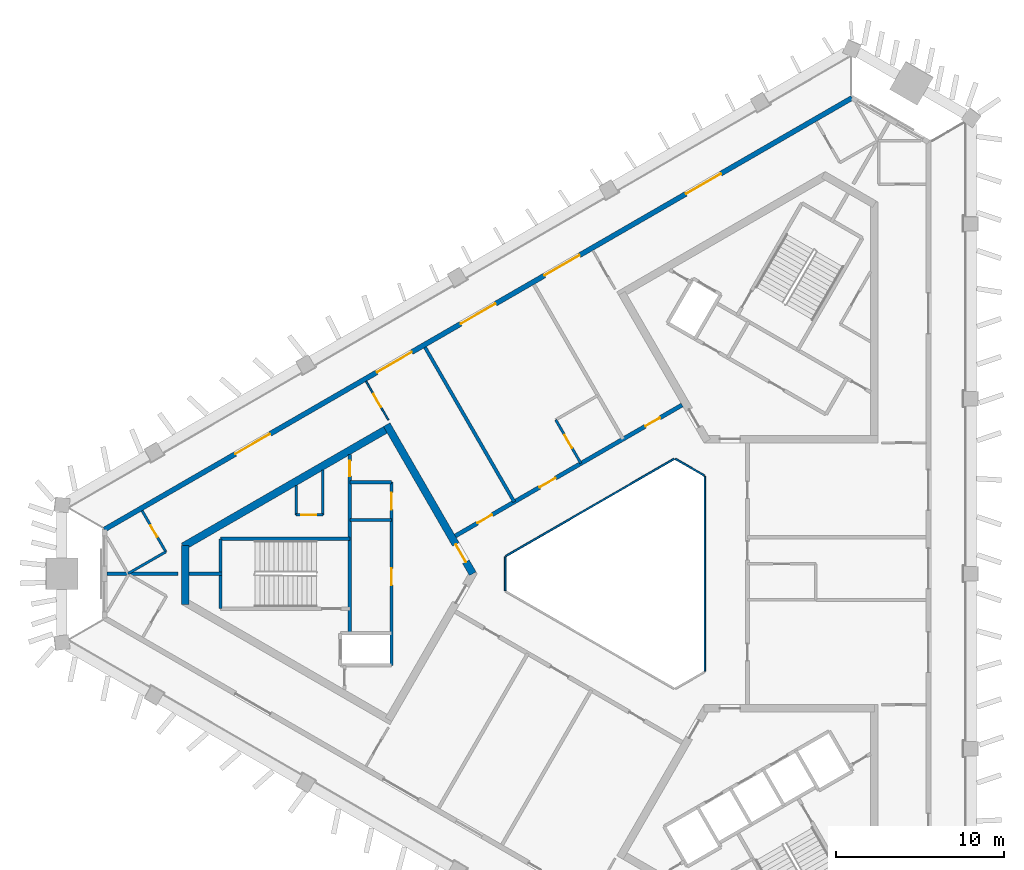
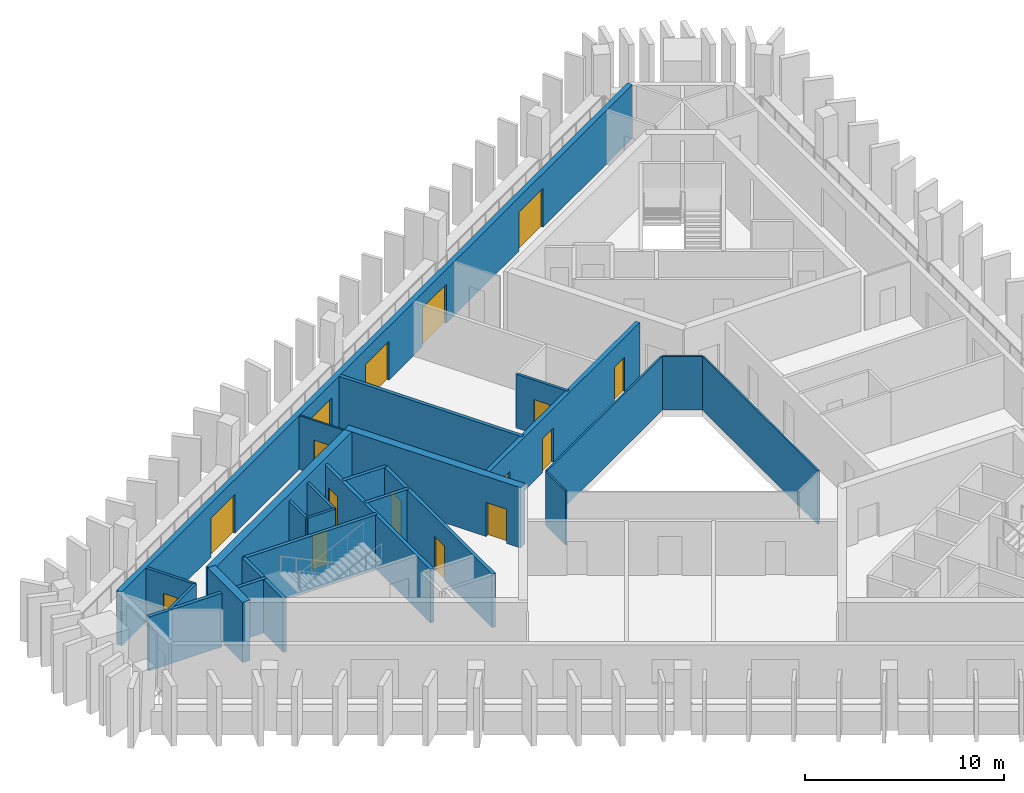
# One storey, part 4 of 9: 25 walls, 16 doors, 16 openings.
"""IFC4 building model written with IfcOpenShell, lengths in metres."""

from ifc_helpers import new_model, si_unit, direction, frame, frame_2d, origin, place, context, subcontext, project, spatial, rectangle, extrude, material, layer, layer_set, type_object, element, fill, save


model = new_model("IFC4")

# Units and contexts
model_context = context("Model", 3, precision=1e-05, world=origin(), true_north=direction((0.0, 1.0)))
body_context = subcontext(model_context, "Body", "Model", "MODEL_VIEW")
ifc_project = project(units=[si_unit("LENGTHUNIT", "METRE"), si_unit("AREAUNIT", "SQUARE_METRE"), si_unit("VOLUMEUNIT", "CUBIC_METRE"), si_unit("PLANEANGLEUNIT", "RADIAN"), si_unit("MASSUNIT", "GRAM", prefix="KILO")], contexts=[model_context])

# Site, building, storey
site_placement = place(None, origin())
site = spatial("IfcSite", under=ifc_project, at=site_placement, CompositionType="ELEMENT")
building_placement = place(site_placement, origin())
building = spatial("IfcBuilding", under=site, at=building_placement, Name="Jabali Bay Hotel Tower and Convention Centre", CompositionType="ELEMENT")
storey_placement = place(building_placement, frame((0.0, 0.0, 209.5)))
storey = spatial("IfcBuildingStorey", under=building, at=storey_placement, Name="L51", CompositionType="ELEMENT", Elevation=209.5)

# Walls
ifc_material_1 = material(Name="Fire-resistant glazing", Category="glass")
ifc_layer_1 = layer(ifc_material_1, 0.10009765625)
ifc_layer_set_1 = layer_set([ifc_layer_1], Name="Fire-resistant glazing")
wall_type_1 = type_object("IfcWallType", Name="Atrium glazed screen 100", PredefinedType="PARTITIONING", material=ifc_layer_set_1)
wall_1_placement = place(storey_placement, frame((79.56005859375, 74.205810546875, 0.0), z_axis=(0.0, 0.0, 1.0), x_axis=(0.0, 1.0, 0.0)))
element("IfcWall", 1, at=wall_1_placement, inside=storey, type_object=wall_type_1, Name="Atrium screen 1 L51", PredefinedType="PARTITIONING", context=body_context, shape_type="SweptSolid", body=[
    extrude(rectangle(XDim=11.58837890625, YDim=0.10009765625, at=frame_2d((5.794189453125, 0.0))), origin(), (0.0, 0.0, 1.0), 3.300048828125),
])
wall_2_placement = place(storey_placement, frame((79.530029296875, 85.84619140625, 0.0), z_axis=(0.0, 0.0, 1.0), x_axis=(-0.866041268327, 0.499972520799, 0.0)))
element("IfcWall", 2, at=wall_2_placement, inside=storey, type_object=wall_type_1, Name="Atrium screen 2 L51", PredefinedType="PARTITIONING", context=body_context, shape_type="SweptSolid", body=[
    extrude(rectangle(XDim=2.0, YDim=0.10009765625, at=frame_2d((1.0, 0.0))), origin(), (0.0, 0.0, 1.0), 3.300048828125),
])
wall_3_placement = place(storey_placement, frame((77.738037109375, 86.84619140625, 0.0), z_axis=(0.0, 0.0, 1.0), x_axis=(-0.866026658274, -0.499997827154, 0.0)))
element("IfcWall", 3, at=wall_3_placement, inside=storey, type_object=wall_type_1, Name="Atrium screen 3 L51", PredefinedType="PARTITIONING", context=body_context, shape_type="SweptSolid", body=[
    extrude(rectangle(XDim=11.58837890625, YDim=0.10009765625, at=frame_2d((5.794189453125, 0.0))), origin(), (0.0, 0.0, 1.0), 3.300048828125),
])
wall_4_placement = place(storey_placement, frame((67.672119140625, 81.0, 0.0), z_axis=(0.0, 0.0, 1.0), x_axis=(0.0, -1.0, 0.0)))
element("IfcWall", 4, at=wall_4_placement, inside=storey, type_object=wall_type_1, Name="Atrium screen 4 L51", PredefinedType="PARTITIONING", context=body_context, shape_type="SweptSolid", body=[
    extrude(rectangle(XDim=2.0, YDim=0.10009765625, at=frame_2d((1.0, 0.0))), origin(), (0.0, 0.0, 1.0), 3.300048828125),
])
ifc_material_2 = material(Name="Concrete C40", Category="concrete")
ifc_layer_2 = layer(ifc_material_2, 0.199951171875)
ifc_layer_set_2 = layer_set([ifc_layer_2], Name="Concrete C40")
wall_type_2 = type_object("IfcWallType", Name="Core partition wall 200", PredefinedType="PARTITIONING", material=ifc_layer_set_2)
wall_5_placement = place(storey_placement, frame((50.820068359375, 80.0, 0.0), z_axis=(0.0, 0.0, 1.0), x_axis=(-1.0, 0.0, 0.0)))
element("IfcWall", 5, at=wall_5_placement, inside=storey, type_object=wall_type_2, Name="Core wall 0.4 L51", PredefinedType="PARTITIONING", context=body_context, shape_type="SweptSolid", body=[
    extrude(rectangle(XDim=1.97314453125, YDim=0.199951171875, at=frame_2d((0.986572265625, 0.0))), origin(), (0.0, 0.0, 1.0), 3.300048828125),
])

# Wall, opening, door
ifc_material_3 = material(Name="Fire-rated board partition")
ifc_layer_3 = layer(ifc_material_3, 0.14990234375)
ifc_layer_set_3 = layer_set([ifc_layer_3], Name="Fire-rated board partition")
wall_type_3 = type_object("IfcWallType", Name="Core room partition 150", PredefinedType="PARTITIONING", material=ifc_layer_set_3)
wall_6_placement = place(storey_placement, frame((56.820068359375, 83.5, 0.0), z_axis=(0.0, 0.0, 1.0), x_axis=(-1.0, 0.0, 0.0)))
wall_6 = element("IfcWall", 6, at=wall_6_placement, inside=storey, type_object=wall_type_3, Name="Core wall 0.1 L51", PredefinedType="PARTITIONING", context=body_context, shape_type="SweptSolid", body=[
    extrude(rectangle(XDim=1.60009765625, YDim=0.14990234375, at=frame_2d((0.800048828125, 0.0))), origin(), (0.0, 0.0, 1.0), 3.300048828125),
])
opening_1_placement = place(wall_6_placement, frame((0.387451171875, 0.0, 0.0)))
opening_1 = element("IfcOpeningElement", 7, at=opening_1_placement, cuts=wall_6, Name="Opening D1102", PredefinedType="OPENING", context=body_context, shape_type="SweptSolid", body=[
    extrude(rectangle(XDim=0.89990234375, YDim=2.10009765625, at=frame_2d((0.449951171875, 1.050048828125))), frame((0.0, 0.08544921875, 0.0), z_axis=(0.0, -1.0, 0.0), x_axis=(1.0, 0.0, 0.0)), (0.0, 0.0, 1.0), 0.1708984375),
])
ifc_material_4 = material(Name="Fire-rated steel door", Category="steel")
door_type_1 = type_object("IfcDoorType", Name="Core room door 900 x 2100", OperationType="NOTDEFINED", PredefinedType="NOTDEFINED", material=ifc_material_4)
door_1_placement = place(opening_1_placement, origin())
door_1 = element("IfcDoor", 8, at=door_1_placement, inside=storey, type_object=door_type_1, Name="Core room door D1102", OperationType="SINGLE_SWING_LEFT", OverallHeight=2.10009765625, OverallWidth=0.89990234375, PredefinedType="NOTDEFINED", context=body_context, shape_type="SweptSolid", body=[
    extrude(rectangle(XDim=0.89990234375, YDim=2.10009765625, at=frame_2d((0.449951171875, 1.050048828125))), frame((0.0, 0.02490234375, 0.0), z_axis=(0.0, -1.0, 0.0), x_axis=(1.0, 0.0, 0.0)), (0.0, 0.0, 1.0), 0.050048828125),
])
fill(opening_1, door_1)

# Walls
wall_7_placement = place(storey_placement, frame((56.820068359375, 86.166015625, 0.0), z_axis=(0.0, 0.0, 1.0), x_axis=(0.0, -1.0, 0.0)))
element("IfcWall", 9, at=wall_7_placement, inside=storey, type_object=wall_type_3, Name="Core wall 0.12 L51", PredefinedType="PARTITIONING", context=body_context, shape_type="SweptSolid", body=[
    extrude(rectangle(XDim=2.666015625, YDim=0.14990234375, at=frame_2d((1.3330078125, 0.0))), origin(), (0.0, 0.0, 1.0), 3.300048828125),
])
wall_8_placement = place(storey_placement, frame((55.219970703125, 85.2421875, 0.0), z_axis=(0.0, 0.0, 1.0), x_axis=(0.0, -1.0, 0.0)))
element("IfcWall", 10, at=wall_8_placement, inside=storey, type_object=wall_type_3, Name="Core wall 0.13 L51", PredefinedType="PARTITIONING", context=body_context, shape_type="SweptSolid", body=[
    extrude(rectangle(XDim=1.7421875, YDim=0.14990234375, at=frame_2d((0.87109375, 0.0))), origin(), (0.0, 0.0, 1.0), 3.300048828125),
])
ifc_layer_4 = layer(ifc_material_2, 0.199951171875)
ifc_layer_set_4 = layer_set([ifc_layer_4], Name="Concrete C40")
wall_type_4 = type_object("IfcWallType", Name="Core stair wall 200", PredefinedType="SOLIDWALL", material=ifc_layer_set_4)
for number, where, z_axis, x_axis, name in (
    (11, (60.89990234375, 85.449951171875, 0.0), (0.0, 0.0, 1.0), (-1.0, 0.0, 0.0), "Core wall 0.0 L51"),
    (12, (60.89990234375, 83.199951171875, 0.0), (0.0, 0.0, 1.0), (-1.0, 0.0, 0.0), "Core wall 0.2 L51"),
):
    element("IfcWall", number, at=place(storey_placement, frame(where, z_axis=z_axis, x_axis=x_axis)), inside=storey, type_object=wall_type_4, Name=name, PredefinedType="SOLIDWALL", context=body_context, shape_type="SweptSolid", body=[
        extrude(rectangle(XDim=2.47998046875, YDim=0.199951171875, at=frame_2d((1.239990234375, 0.0))), origin(), (0.0, 0.0, 1.0), 3.300048828125),
    ])
wall_9_placement = place(storey_placement, frame((58.419921875, 82.074951171875, 0.0), z_axis=(0.0, 0.0, 1.0), x_axis=(-1.0, 0.0, 0.0)))
element("IfcWall", 13, at=wall_9_placement, inside=storey, type_object=wall_type_4, Name="Core wall 0.3 L51", PredefinedType="SOLIDWALL", context=body_context, shape_type="SweptSolid", body=[
    extrude(rectangle(XDim=7.699951171875, YDim=0.199951171875, at=frame_2d((3.85009765625, 0.0))), origin(), (0.0, 0.0, 1.0), 3.300048828125),
])

# Wall, openings, doors
wall_10_placement = place(storey_placement, frame((60.89990234375, 85.449951171875, 0.0), z_axis=(0.0, 0.0, 1.0), x_axis=(0.0, -1.0, 0.0)))
wall_10 = element("IfcWall", 14, at=wall_10_placement, inside=storey, type_object=wall_type_4, Name="Core wall 0.8 L51", PredefinedType="SOLIDWALL", context=body_context, shape_type="SweptSolid", body=[
    extrude(rectangle(XDim=10.89990234375, YDim=0.199951171875, at=frame_2d((5.449951171875, 0.0))), origin(), (0.0, 0.0, 1.0), 3.300048828125),
])
opening_2_placement = place(wall_10_placement, frame((0.625, 0.0, 0.0)))
opening_2 = element("IfcOpeningElement", 15, at=opening_2_placement, cuts=wall_10, Name="Opening D1097", PredefinedType="OPENING", context=body_context, shape_type="SweptSolid", body=[
    extrude(rectangle(XDim=1.0, YDim=2.10009765625, at=frame_2d((0.5, 1.050048828125))), frame((0.0, 0.1103515625, 0.0), z_axis=(0.0, -1.0, 0.0), x_axis=(1.0, 0.0, 0.0)), (0.0, 0.0, 1.0), 0.220947265625),
])
opening_3_placement = place(wall_10_placement, frame((5.125, 0.0, 0.0)))
opening_3 = element("IfcOpeningElement", 16, at=opening_3_placement, cuts=wall_10, Name="Opening D1098", PredefinedType="OPENING", context=body_context, shape_type="SweptSolid", body=[
    extrude(rectangle(XDim=1.0, YDim=2.10009765625, at=frame_2d((0.5, 1.050048828125))), frame((0.0, 0.1103515625, 0.0), z_axis=(0.0, -1.0, 0.0), x_axis=(1.0, 0.0, 0.0)), (0.0, 0.0, 1.0), 0.220947265625),
])
door_type_2 = type_object("IfcDoorType", Name="Core room door 1000 x 2100", OperationType="NOTDEFINED", PredefinedType="NOTDEFINED", material=ifc_material_4)
door_2_placement = place(opening_2_placement, origin())
door_2 = element("IfcDoor", 17, at=door_2_placement, inside=storey, type_object=door_type_2, Name="Core room door D1097", OperationType="SINGLE_SWING_RIGHT", OverallHeight=2.10009765625, OverallWidth=1.0, PredefinedType="NOTDEFINED", context=body_context, shape_type="SweptSolid", body=[
    extrude(rectangle(XDim=1.0, YDim=2.10009765625, at=frame_2d((0.5, 1.050048828125))), frame((0.0, 0.02490234375, 0.0), z_axis=(0.0, -1.0, 0.0), x_axis=(1.0, 0.0, 0.0)), (0.0, 0.0, 1.0), 0.050048828125),
])
fill(opening_2, door_2)
door_3_placement = place(opening_3_placement, origin())
door_3 = element("IfcDoor", 18, at=door_3_placement, inside=storey, type_object=door_type_2, Name="Core room door D1098", OperationType="SINGLE_SWING_RIGHT", OverallHeight=2.10009765625, OverallWidth=1.0, PredefinedType="NOTDEFINED", context=body_context, shape_type="SweptSolid", body=[
    extrude(rectangle(XDim=1.0, YDim=2.10009765625, at=frame_2d((0.5, 1.050048828125))), frame((0.0, 0.02490234375, 0.0), z_axis=(0.0, -1.0, 0.0), x_axis=(1.0, 0.0, 0.0)), (0.0, 0.0, 1.0), 0.050048828125),
])
fill(opening_3, door_3)

# Wall, opening, door
wall_11_placement = place(storey_placement, frame((58.419921875, 87.08984375, 0.0), z_axis=(0.0, 0.0, 1.0), x_axis=(0.0, -1.0, 0.0)))
wall_11 = element("IfcWall", 19, at=wall_11_placement, inside=storey, type_object=wall_type_4, Name="Core wall 0.9 L51", PredefinedType="SOLIDWALL", context=body_context, shape_type="SweptSolid", body=[
    extrude(rectangle(XDim=10.639892578125, YDim=0.199951171875, at=frame_2d((5.31982421875, 0.0))), origin(), (0.0, 0.0, 1.0), 3.300048828125),
])
opening_4_placement = place(wall_11_placement, frame((0.369873046875, 0.0, 0.0)))
opening_4 = element("IfcOpeningElement", 20, at=opening_4_placement, cuts=wall_11, Name="Opening D1100", PredefinedType="OPENING", context=body_context, shape_type="SweptSolid", body=[
    extrude(rectangle(XDim=0.89990234375, YDim=2.10009765625, at=frame_2d((0.449951171875, 1.050048828125))), frame((0.0, 0.1103515625, 0.0), z_axis=(0.0, -1.0, 0.0), x_axis=(1.0, 0.0, 0.0)), (0.0, 0.0, 1.0), 0.220947265625),
])
door_type_3 = type_object("IfcDoorType", Name="Vestibule fire door 900 x 2100", OperationType="NOTDEFINED", PredefinedType="NOTDEFINED", material=ifc_material_4)
door_4_placement = place(opening_4_placement, origin())
door_4 = element("IfcDoor", 21, at=door_4_placement, inside=storey, type_object=door_type_3, Name="Vestibule fire door D1100", OperationType="SINGLE_SWING_LEFT", OverallHeight=2.10009765625, OverallWidth=0.89990234375, PredefinedType="NOTDEFINED", context=body_context, shape_type="SweptSolid", body=[
    extrude(rectangle(XDim=0.89990234375, YDim=2.10009765625, at=frame_2d((0.449951171875, 1.050048828125))), frame((0.0, 0.02490234375, 0.0), z_axis=(0.0, -1.0, 0.0), x_axis=(1.0, 0.0, 0.0)), (0.0, 0.0, 1.0), 0.050048828125),
])
fill(opening_4, door_4)

# Wall
wall_12_placement = place(storey_placement, frame((50.719970703125, 82.074951171875, 0.0), z_axis=(0.0, 0.0, 1.0), x_axis=(0.0, -1.0, 0.0)))
element("IfcWall", 22, at=wall_12_placement, inside=storey, type_object=wall_type_4, Name="Core wall 0.14 L51", PredefinedType="SOLIDWALL", context=body_context, shape_type="SweptSolid", body=[
    extrude(rectangle(XDim=4.14990234375, YDim=0.199951171875, at=frame_2d((2.074951171875, 0.0))), origin(), (0.0, 0.0, 1.0), 3.300048828125),
])

# Wall, opening, door
ifc_material_5 = material(Name="Concrete C60", Category="concrete")
ifc_layer_5 = layer(ifc_material_5, 0.449951171875)
ifc_layer_set_5 = layer_set([ifc_layer_5], Name="Concrete C60")
wall_type_5 = type_object("IfcWallType", Name="Core wall 450", PredefinedType="SHEAR", material=ifc_layer_set_5)
wall_13_placement = place(storey_placement, frame((65.740234375, 80.0, 0.0), z_axis=(0.0, 0.0, 1.0), x_axis=(-0.499991857942, 0.866030104553, 0.0)))
wall_13 = element("IfcWall", 23, at=wall_13_placement, inside=storey, type_object=wall_type_5, Name="Core wall 1.1 L51", PredefinedType="SHEAR", context=body_context, shape_type="SweptSolid", body=[
    extrude(rectangle(XDim=10.250244140625, YDim=0.449951171875, at=frame_2d((5.125, 0.0))), origin(), (0.0, 0.0, 1.0), 3.699951171875),
])
opening_5_placement = place(wall_13_placement, frame((0.820068359375, 0.0, 0.0)))
opening_5 = element("IfcOpeningElement", 24, at=opening_5_placement, cuts=wall_13, Name="Opening D1095", PredefinedType="OPENING", context=body_context, shape_type="SweptSolid", body=[
    extrude(rectangle(XDim=1.199951171875, YDim=2.10009765625, at=frame_2d((0.60009765625, 1.050048828125))), frame((0.0, 0.2353515625, 0.0), z_axis=(0.0, -1.0, 0.0), x_axis=(1.0, 0.0, 0.0)), (0.0, 0.0, 1.0), 0.470947265625),
])
door_type_4 = type_object("IfcDoorType", Name="Corridor end fire door 1200 x 2100", OperationType="NOTDEFINED", PredefinedType="NOTDEFINED", material=ifc_material_4)
door_5_placement = place(opening_5_placement, origin())
door_5 = element("IfcDoor", 25, at=door_5_placement, inside=storey, type_object=door_type_4, Name="Corridor end fire door D1095", OperationType="SINGLE_SWING_RIGHT", OverallHeight=2.10009765625, OverallWidth=1.199951171875, PredefinedType="NOTDEFINED", context=body_context, shape_type="SweptSolid", body=[
    extrude(rectangle(XDim=1.199951171875, YDim=2.10009765625, at=frame_2d((0.60009765625, 1.050048828125))), frame((0.0, 0.02490234375, 0.0), z_axis=(0.0, -1.0, 0.0), x_axis=(1.0, 0.0, 0.0)), (0.0, 0.0, 1.0), 0.050048828125),
])
fill(opening_5, door_5)

# Walls
wall_14_placement = place(storey_placement, frame((60.7275390625, 88.681884765625, 0.0), z_axis=(0.0, 0.0, 1.0), x_axis=(-0.866021613849, -0.500006564303, 0.0)))
element("IfcWall", 26, at=wall_14_placement, inside=storey, type_object=wall_type_5, Name="Core wall 1.2 L51", PredefinedType="SHEAR", context=body_context, shape_type="SweptSolid", body=[
    extrude(rectangle(XDim=14.108154296875, YDim=0.449951171875, at=frame_2d((7.05419921875, 0.0))), origin(), (0.0, 0.0, 1.0), 3.699951171875),
])
wall_15_placement = place(storey_placement, frame((48.621826171875, 81.692626953125, 0.0), z_axis=(0.0, 0.0, 1.0), x_axis=(0.0, -1.0, 0.0)))
element("IfcWall", 27, at=wall_15_placement, inside=storey, type_object=wall_type_5, Name="Core wall 1.3 L51", PredefinedType="SHEAR", context=body_context, shape_type="SweptSolid", body=[
    extrude(rectangle(XDim=3.515380859375, YDim=0.449951171875, at=frame_2d((1.7578125, 0.0))), origin(), (0.0, 0.0, 1.0), 3.699951171875),
])

# Wall, openings, doors
ifc_layer_6 = layer(ifc_material_5, 0.25)
ifc_layer_set_6 = layer_set([ifc_layer_6], Name="Concrete C60")
wall_type_6 = type_object("IfcWallType", Name="Corridor wall 250", PredefinedType="SHEAR", material=ifc_layer_set_6)
wall_16_placement = place(storey_placement, frame((78.199951171875, 90.0458984375, 0.0), z_axis=(0.0, 0.0, 1.0), x_axis=(-0.866026492143, -0.499998114903, 0.0)))
wall_16 = element("IfcWall", 28, at=wall_16_placement, inside=storey, type_object=wall_type_6, Name="Corridor wall 2 L51", PredefinedType="SHEAR", context=body_context, shape_type="SweptSolid", body=[
    extrude(rectangle(XDim=15.58837890625, YDim=0.25, at=frame_2d((7.794189453125, 0.0))), origin(), (0.0, 0.0, 1.0), 3.300048828125),
])
opening_6_placement = place(wall_16_placement, frame((1.526611328125, 0.0, 0.0)))
opening_6 = element("IfcOpeningElement", 29, at=opening_6_placement, cuts=wall_16, Name="Opening 5109", PredefinedType="OPENING", context=body_context, shape_type="SweptSolid", body=[
    extrude(rectangle(XDim=1.0, YDim=2.10009765625, at=frame_2d((0.5, 1.050048828125))), frame((0.0, 0.135498046875, 0.0), z_axis=(0.0, -1.0, 0.0), x_axis=(1.0, 0.0, 0.0)), (0.0, 0.0, 1.0), 0.27099609375),
])
opening_7_placement = place(wall_16_placement, frame((8.694091796875, 0.0, 0.0)))
opening_7 = element("IfcOpeningElement", 30, at=opening_7_placement, cuts=wall_16, Name="Opening 5113", PredefinedType="OPENING", context=body_context, shape_type="SweptSolid", body=[
    extrude(rectangle(XDim=1.10009765625, YDim=2.10009765625, at=frame_2d((0.550048828125, 1.050048828125))), frame((0.0, 0.135498046875, 0.0), z_axis=(0.0, -1.0, 0.0), x_axis=(1.0, 0.0, 0.0)), (0.0, 0.0, 1.0), 0.27099609375),
])
opening_8_placement = place(wall_16_placement, frame((13.06201171875, 0.0, 0.0)))
opening_8 = element("IfcOpeningElement", 31, at=opening_8_placement, cuts=wall_16, Name="Opening 5114", PredefinedType="OPENING", context=body_context, shape_type="SweptSolid", body=[
    extrude(rectangle(XDim=1.0, YDim=2.10009765625, at=frame_2d((0.5, 1.050048828125))), frame((0.0, 0.135498046875, 0.0), z_axis=(0.0, -1.0, 0.0), x_axis=(1.0, 0.0, 0.0)), (0.0, 0.0, 1.0), 0.27099609375),
])
ifc_material_6 = material(Name="Timber", Category="wood")
door_type_5 = type_object("IfcDoorType", Name="Accessible guest room door 1100 x 2100", OperationType="NOTDEFINED", PredefinedType="NOTDEFINED", material=ifc_material_6)
door_6_placement = place(opening_7_placement, origin())
door_6 = element("IfcDoor", 32, at=door_6_placement, inside=storey, type_object=door_type_5, Name="Door 5113", OperationType="SINGLE_SWING_RIGHT", OverallHeight=2.10009765625, OverallWidth=1.10009765625, PredefinedType="NOTDEFINED", context=body_context, shape_type="SweptSolid", body=[
    extrude(rectangle(XDim=1.10009765625, YDim=2.10009765625, at=frame_2d((0.550048828125, 1.050048828125))), frame((0.0, 0.02490234375, 0.0), z_axis=(0.0, -1.0, 0.0), x_axis=(1.0, 0.0, 0.0)), (0.0, 0.0, 1.0), 0.050048828125),
])
fill(opening_7, door_6)
door_type_6 = type_object("IfcDoorType", Name="Guest room door 1000 x 2100", OperationType="NOTDEFINED", PredefinedType="NOTDEFINED", material=ifc_material_6)
door_7_placement = place(opening_6_placement, origin())
door_7 = element("IfcDoor", 33, at=door_7_placement, inside=storey, type_object=door_type_6, Name="Door 5109", OperationType="SINGLE_SWING_LEFT", OverallHeight=2.10009765625, OverallWidth=1.0, PredefinedType="NOTDEFINED", context=body_context, shape_type="SweptSolid", body=[
    extrude(rectangle(XDim=1.0, YDim=2.10009765625, at=frame_2d((0.5, 1.050048828125))), frame((0.0, 0.02490234375, 0.0), z_axis=(0.0, -1.0, 0.0), x_axis=(1.0, 0.0, 0.0)), (0.0, 0.0, 1.0), 0.050048828125),
])
fill(opening_6, door_7)
door_8_placement = place(opening_8_placement, origin())
door_8 = element("IfcDoor", 34, at=door_8_placement, inside=storey, type_object=door_type_6, Name="Door 5114", OperationType="SINGLE_SWING_RIGHT", OverallHeight=2.10009765625, OverallWidth=1.0, PredefinedType="NOTDEFINED", context=body_context, shape_type="SweptSolid", body=[
    extrude(rectangle(XDim=1.0, YDim=2.10009765625, at=frame_2d((0.5, 1.050048828125))), frame((0.0, 0.02490234375, 0.0), z_axis=(0.0, -1.0, 0.0), x_axis=(1.0, 0.0, 0.0)), (0.0, 0.0, 1.0), 0.050048828125),
])
fill(opening_8, door_8)

ifc_layer_7 = layer(ifc_material_2, 0.300048828125)
ifc_layer_set_7 = layer_set([ifc_layer_7], Name="Concrete C40")
wall_type_7 = type_object("IfcWallType", Name="External wall 300", PredefinedType="SOLIDWALL", material=ifc_layer_set_7)
wall_17_placement = place(storey_placement, frame((43.80224609375, 82.629638671875, 0.0), z_axis=(0.0, 0.0, 1.0), x_axis=(0.866026224187, 0.499998579018, 0.0)))
wall_17 = element("IfcWall", 35, at=wall_17_placement, inside=storey, type_object=wall_type_7, Name="External wall north-west face L51", PredefinedType="SOLIDWALL", context=body_context, shape_type="SweptSolid", body=[
    extrude(rectangle(XDim=51.406494140625, YDim=0.300048828125, at=frame_2d((25.703125, 0.0))), origin(), (0.0, 0.0, 1.0), 3.300048828125),
])
opening_9_placement = place(wall_17_placement, frame((24.503173828125, 0.0, 0.0)))
opening_9 = element("IfcOpeningElement", 36, at=opening_9_placement, cuts=wall_17, Name="Opening SD1", PredefinedType="OPENING", context=body_context, shape_type="SweptSolid", body=[
    extrude(rectangle(XDim=2.39990234375, YDim=2.39990234375, at=frame_2d((1.199951171875, 1.199951171875))), frame((0.0, 0.16064453125, 0.0), z_axis=(0.0, -1.0, 0.0), x_axis=(1.0, 0.0, 0.0)), (0.0, 0.0, 1.0), 0.321044921875),
])
opening_10_placement = place(wall_17_placement, frame((30.27099609375, 0.0, 0.0)))
opening_10 = element("IfcOpeningElement", 37, at=opening_10_placement, cuts=wall_17, Name="Opening SD1", PredefinedType="OPENING", context=body_context, shape_type="SweptSolid", body=[
    extrude(rectangle(XDim=2.39990234375, YDim=2.39990234375, at=frame_2d((1.199951171875, 1.199951171875))), frame((0.0, 0.16064453125, 0.0), z_axis=(0.0, -1.0, 0.0), x_axis=(1.0, 0.0, 0.0)), (0.0, 0.0, 1.0), 0.321044921875),
])
opening_11_placement = place(wall_17_placement, frame((39.9833984375, 0.0, 0.0)))
opening_11 = element("IfcOpeningElement", 38, at=opening_11_placement, cuts=wall_17, Name="Opening SD1", PredefinedType="OPENING", context=body_context, shape_type="SweptSolid", body=[
    extrude(rectangle(XDim=2.39990234375, YDim=2.39990234375, at=frame_2d((1.199951171875, 1.199951171875))), frame((0.0, 0.16064453125, 0.0), z_axis=(0.0, -1.0, 0.0), x_axis=(1.0, 0.0, 0.0)), (0.0, 0.0, 1.0), 0.321044921875),
])
opening_12_placement = place(wall_17_placement, frame((18.735595703125, 0.0, 0.0)))
opening_12 = element("IfcOpeningElement", 39, at=opening_12_placement, cuts=wall_17, Name="Opening SD1", PredefinedType="OPENING", context=body_context, shape_type="SweptSolid", body=[
    extrude(rectangle(XDim=2.39990234375, YDim=2.39990234375, at=frame_2d((1.199951171875, 1.199951171875))), frame((0.0, 0.16064453125, 0.0), z_axis=(0.0, -1.0, 0.0), x_axis=(1.0, 0.0, 0.0)), (0.0, 0.0, 1.0), 0.321044921875),
])
opening_13_placement = place(wall_17_placement, frame((9.0, 0.0, 0.0)))
opening_13 = element("IfcOpeningElement", 40, at=opening_13_placement, cuts=wall_17, Name="Opening SD1", PredefinedType="OPENING", context=body_context, shape_type="SweptSolid", body=[
    extrude(rectangle(XDim=2.39990234375, YDim=2.39990234375, at=frame_2d((1.199951171875, 1.199951171875))), frame((0.0, 0.16064453125, 0.0), z_axis=(0.0, -1.0, 0.0), x_axis=(1.0, 0.0, 0.0)), (0.0, 0.0, 1.0), 0.321044921875),
])
ifc_material_7 = material(Name="Glass", Category="glass")
door_type_7 = type_object("IfcDoorType", Name="Loggia sliding door 2400 x 2400", OperationType="NOTDEFINED", PredefinedType="NOTDEFINED", material=ifc_material_7)
door_9_placement = place(opening_9_placement, origin())
door_9 = element("IfcDoor", 41, at=door_9_placement, inside=storey, type_object=door_type_7, Name="Loggia sliding door 5105", OperationType="SLIDING_TO_LEFT", OverallHeight=2.39990234375, OverallWidth=2.39990234375, PredefinedType="NOTDEFINED", context=body_context, shape_type="SweptSolid", body=[
    extrude(rectangle(XDim=2.39990234375, YDim=2.39990234375, at=frame_2d((1.199951171875, 1.199951171875))), frame((0.0, 0.02490234375, 0.0), z_axis=(0.0, -1.0, 0.0), x_axis=(1.0, 0.0, 0.0)), (0.0, 0.0, 1.0), 0.050048828125),
])
fill(opening_9, door_9)
door_10_placement = place(opening_10_placement, origin())
door_10 = element("IfcDoor", 42, at=door_10_placement, inside=storey, type_object=door_type_7, Name="Loggia sliding door 5104", OperationType="SLIDING_TO_RIGHT", OverallHeight=2.39990234375, OverallWidth=2.39990234375, PredefinedType="NOTDEFINED", context=body_context, shape_type="SweptSolid", body=[
    extrude(rectangle(XDim=2.39990234375, YDim=2.39990234375, at=frame_2d((1.199951171875, 1.199951171875))), frame((0.0, 0.02490234375, 0.0), z_axis=(0.0, -1.0, 0.0), x_axis=(1.0, 0.0, 0.0)), (0.0, 0.0, 1.0), 0.050048828125),
])
fill(opening_10, door_10)
door_11_placement = place(opening_11_placement, origin())
door_11 = element("IfcDoor", 43, at=door_11_placement, inside=storey, type_object=door_type_7, Name="Loggia sliding door 5104", OperationType="SLIDING_TO_LEFT", OverallHeight=2.39990234375, OverallWidth=2.39990234375, PredefinedType="NOTDEFINED", context=body_context, shape_type="SweptSolid", body=[
    extrude(rectangle(XDim=2.39990234375, YDim=2.39990234375, at=frame_2d((1.199951171875, 1.199951171875))), frame((0.0, 0.02490234375, 0.0), z_axis=(0.0, -1.0, 0.0), x_axis=(1.0, 0.0, 0.0)), (0.0, 0.0, 1.0), 0.050048828125),
])
fill(opening_11, door_11)
door_12_placement = place(opening_12_placement, origin())
door_12 = element("IfcDoor", 44, at=door_12_placement, inside=storey, type_object=door_type_7, Name="Loggia sliding door 5106", OperationType="SLIDING_TO_RIGHT", OverallHeight=2.39990234375, OverallWidth=2.39990234375, PredefinedType="NOTDEFINED", context=body_context, shape_type="SweptSolid", body=[
    extrude(rectangle(XDim=2.39990234375, YDim=2.39990234375, at=frame_2d((1.199951171875, 1.199951171875))), frame((0.0, 0.02490234375, 0.0), z_axis=(0.0, -1.0, 0.0), x_axis=(1.0, 0.0, 0.0)), (0.0, 0.0, 1.0), 0.050048828125),
])
fill(opening_12, door_12)
door_13_placement = place(opening_13_placement, origin())
door_13 = element("IfcDoor", 45, at=door_13_placement, inside=storey, type_object=door_type_7, Name="Loggia sliding door 5106", OperationType="SLIDING_TO_LEFT", OverallHeight=2.39990234375, OverallWidth=2.39990234375, PredefinedType="NOTDEFINED", context=body_context, shape_type="SweptSolid", body=[
    extrude(rectangle(XDim=2.39990234375, YDim=2.39990234375, at=frame_2d((1.199951171875, 1.199951171875))), frame((0.0, 0.02490234375, 0.0), z_axis=(0.0, -1.0, 0.0), x_axis=(1.0, 0.0, 0.0)), (0.0, 0.0, 1.0), 0.050048828125),
])
fill(opening_13, door_13)

# Wall, opening, door
ifc_material_8 = material(Name="Plasterboard on steel stud", Category="steel")
ifc_layer_8 = layer(ifc_material_8, 0.10009765625)
ifc_layer_set_8 = layer_set([ifc_layer_8], Name="Plasterboard on steel stud")
wall_type_8 = type_object("IfcWallType", Name="Partition 100 unit", PredefinedType="PARTITIONING", material=ifc_layer_set_8)
wall_18_placement = place(storey_placement, frame((59.386474609375, 91.455078125, 0.0), z_axis=(0.0, 0.0, 1.0), x_axis=(0.49995654735, -0.86605048973, 0.0)))
wall_18 = element("IfcWall", 46, at=wall_18_placement, inside=storey, type_object=wall_type_8, Name="Partition P02 L51 024", PredefinedType="PARTITIONING", context=body_context, shape_type="SweptSolid", body=[
    extrude(rectangle(XDim=2.648193359375, YDim=0.10009765625, at=frame_2d((1.32421875, 0.0))), origin(), (0.0, 0.0, 1.0), 3.300048828125),
])
opening_14_placement = place(wall_18_placement, frame((0.8740234375, 0.0, 0.0)))
opening_14 = element("IfcOpeningElement", 47, at=opening_14_placement, cuts=wall_18, Name="Opening 5115", PredefinedType="OPENING", context=body_context, shape_type="SweptSolid", body=[
    extrude(rectangle(XDim=0.89990234375, YDim=2.10009765625, at=frame_2d((0.449951171875, 1.050048828125))), frame((0.0, 0.060546875, 0.0), z_axis=(0.0, -1.0, 0.0), x_axis=(1.0, 0.0, 0.0)), (0.0, 0.0, 1.0), 0.12109375),
])
door_type_8 = type_object("IfcDoorType", Name="Internal door 900 x 2100", OperationType="NOTDEFINED", PredefinedType="NOTDEFINED", material=ifc_material_6)
door_14_placement = place(opening_14_placement, origin())
door_14 = element("IfcDoor", 48, at=door_14_placement, inside=storey, type_object=door_type_8, Name="Door 5115", OperationType="SINGLE_SWING_LEFT", OverallHeight=2.10009765625, OverallWidth=0.89990234375, PredefinedType="NOTDEFINED", context=body_context, shape_type="SweptSolid", body=[
    extrude(rectangle(XDim=0.89990234375, YDim=2.10009765625, at=frame_2d((0.449951171875, 1.050048828125))), frame((0.0, 0.02490234375, 0.0), z_axis=(0.0, -1.0, 0.0), x_axis=(1.0, 0.0, 0.0)), (0.0, 0.0, 1.0), 0.050048828125),
])
fill(opening_14, door_14)

ifc_layer_9 = layer(ifc_material_8, 0.14990234375)
ifc_layer_set_9 = layer_set([ifc_layer_9], Name="Plasterboard on steel stud")
wall_type_9 = type_object("IfcWallType", Name="Partition 150 wet", PredefinedType="PARTITIONING", material=ifc_layer_set_9)
wall_19_placement = place(storey_placement, frame((72.178466796875, 86.5693359375, 0.0), z_axis=(0.0, 0.0, 1.0), x_axis=(-0.499990139034, 0.866031096941, 0.0)))
wall_19 = element("IfcWall", 49, at=wall_19_placement, inside=storey, type_object=wall_type_9, Name="Partition P03 L51 021", PredefinedType="PARTITIONING", context=body_context, shape_type="SweptSolid", body=[
    extrude(rectangle(XDim=3.0, YDim=0.14990234375, at=frame_2d((1.5, 0.0))), origin(), (0.0, 0.0, 1.0), 3.300048828125),
])
opening_15_placement = place(wall_19_placement, frame((1.050048828125, 0.0, 0.0)))
opening_15 = element("IfcOpeningElement", 50, at=opening_15_placement, cuts=wall_19, Name="Opening 5112", PredefinedType="OPENING", context=body_context, shape_type="SweptSolid", body=[
    extrude(rectangle(XDim=0.89990234375, YDim=2.10009765625, at=frame_2d((0.449951171875, 1.050048828125))), frame((0.0, 0.08544921875, 0.0), z_axis=(0.0, -1.0, 0.0), x_axis=(1.0, 0.0, 0.0)), (0.0, 0.0, 1.0), 0.1708984375),
])
door_type_9 = type_object("IfcDoorType", Name="Accessible en-suite door 900 x 2100", OperationType="NOTDEFINED", PredefinedType="NOTDEFINED", material=ifc_material_6)
door_15_placement = place(opening_15_placement, origin())
door_15 = element("IfcDoor", 51, at=door_15_placement, inside=storey, type_object=door_type_9, Name="Door 5112", OperationType="SINGLE_SWING_LEFT", OverallHeight=2.10009765625, OverallWidth=0.89990234375, PredefinedType="NOTDEFINED", context=body_context, shape_type="SweptSolid", body=[
    extrude(rectangle(XDim=0.89990234375, YDim=2.10009765625, at=frame_2d((0.449951171875, 1.050048828125))), frame((0.0, 0.02490234375, 0.0), z_axis=(0.0, -1.0, 0.0), x_axis=(1.0, 0.0, 0.0)), (0.0, 0.0, 1.0), 0.050048828125),
])
fill(opening_15, door_15)

wall_20_placement = place(storey_placement, frame((46.049560546875, 83.7548828125, 0.0), z_axis=(0.0, 0.0, 1.0), x_axis=(0.500051559782, -0.865995633684, 0.0)))
wall_20 = element("IfcWall", 52, at=wall_20_placement, inside=storey, type_object=wall_type_9, Name="Partition P03 L51 025", PredefinedType="PARTITIONING", context=body_context, shape_type="SweptSolid", body=[
    extrude(rectangle(XDim=2.825439453125, YDim=0.14990234375, at=frame_2d((1.41259765625, 0.0))), origin(), (0.0, 0.0, 1.0), 3.300048828125),
])
opening_16_placement = place(wall_20_placement, frame((1.012939453125, 0.0, 0.0)))
opening_16 = element("IfcOpeningElement", 53, at=opening_16_placement, cuts=wall_20, Name="Opening 5116", PredefinedType="OPENING", context=body_context, shape_type="SweptSolid", body=[
    extrude(rectangle(XDim=0.800048828125, YDim=2.10009765625, at=frame_2d((0.39990234375, 1.050048828125))), frame((0.0, 0.08544921875, 0.0), z_axis=(0.0, -1.0, 0.0), x_axis=(1.0, 0.0, 0.0)), (0.0, 0.0, 1.0), 0.1708984375),
])
door_type_10 = type_object("IfcDoorType", Name="En-suite door 800 x 2100", OperationType="NOTDEFINED", PredefinedType="NOTDEFINED", material=ifc_material_6)
door_16_placement = place(opening_16_placement, origin())
door_16 = element("IfcDoor", 54, at=door_16_placement, inside=storey, type_object=door_type_10, Name="Door 5116", OperationType="SINGLE_SWING_LEFT", OverallHeight=2.10009765625, OverallWidth=0.800048828125, PredefinedType="NOTDEFINED", context=body_context, shape_type="SweptSolid", body=[
    extrude(rectangle(XDim=0.800048828125, YDim=2.10009765625, at=frame_2d((0.39990234375, 1.050048828125))), frame((0.0, 0.02490234375, 0.0), z_axis=(0.0, -1.0, 0.0), x_axis=(1.0, 0.0, 0.0)), (0.0, 0.0, 1.0), 0.050048828125),
])
fill(opening_16, door_16)

# Walls
wall_21_placement = place(storey_placement, frame((47.46240234375, 81.30810546875, 0.0), z_axis=(0.0, 0.0, 1.0), x_axis=(-0.866021400173, -0.500006934395, 0.0)))
element("IfcWall", 55, at=wall_21_placement, inside=storey, type_object=wall_type_9, Name="Partition P03 L51 026", PredefinedType="PARTITIONING", context=body_context, shape_type="SweptSolid", body=[
    extrude(rectangle(XDim=2.60009765625, YDim=0.14990234375, at=frame_2d((1.300048828125, 0.0))), origin(), (0.0, 0.0, 1.0), 3.300048828125),
])
ifc_layer_10 = layer(ifc_material_8, 0.199951171875)
ifc_layer_set_10 = layer_set([ifc_layer_10], Name="Plasterboard on steel stud")
wall_type_10 = type_object("IfcWallType", Name="Partition 200 party", PredefinedType="PARTITIONING", material=ifc_layer_set_10)
wall_22_placement = place(storey_placement, frame((62.896484375, 93.4814453125, 0.0), z_axis=(0.0, 0.0, 1.0), x_axis=(0.499993571489, -0.866029115255, 0.0)))
element("IfcWall", 56, at=wall_22_placement, inside=storey, type_object=wall_type_10, Name="Partition P01 L51 023", PredefinedType="PARTITIONING", context=body_context, shape_type="SweptSolid", body=[
    extrude(rectangle(XDim=10.627197265625, YDim=0.199951171875, at=frame_2d((5.3134765625, 0.0))), origin(), (0.0, 0.0, 1.0), 3.300048828125),
])
wall_23_placement = place(storey_placement, frame((43.951416015625, 80.0, 0.0), z_axis=(0.0, 0.0, 1.0), x_axis=(1.0, 0.0, 0.0)))
element("IfcWall", 57, at=wall_23_placement, inside=storey, type_object=wall_type_10, Name="Partition P01 L51 028", PredefinedType="PARTITIONING", context=body_context, shape_type="SweptSolid", body=[
    extrude(rectangle(XDim=4.24658203125, YDim=0.199951171875, at=frame_2d((2.123291015625, 0.0))), origin(), (0.0, 0.0, 1.0), 3.300048828125),
])

save(model, "model.ifc")
